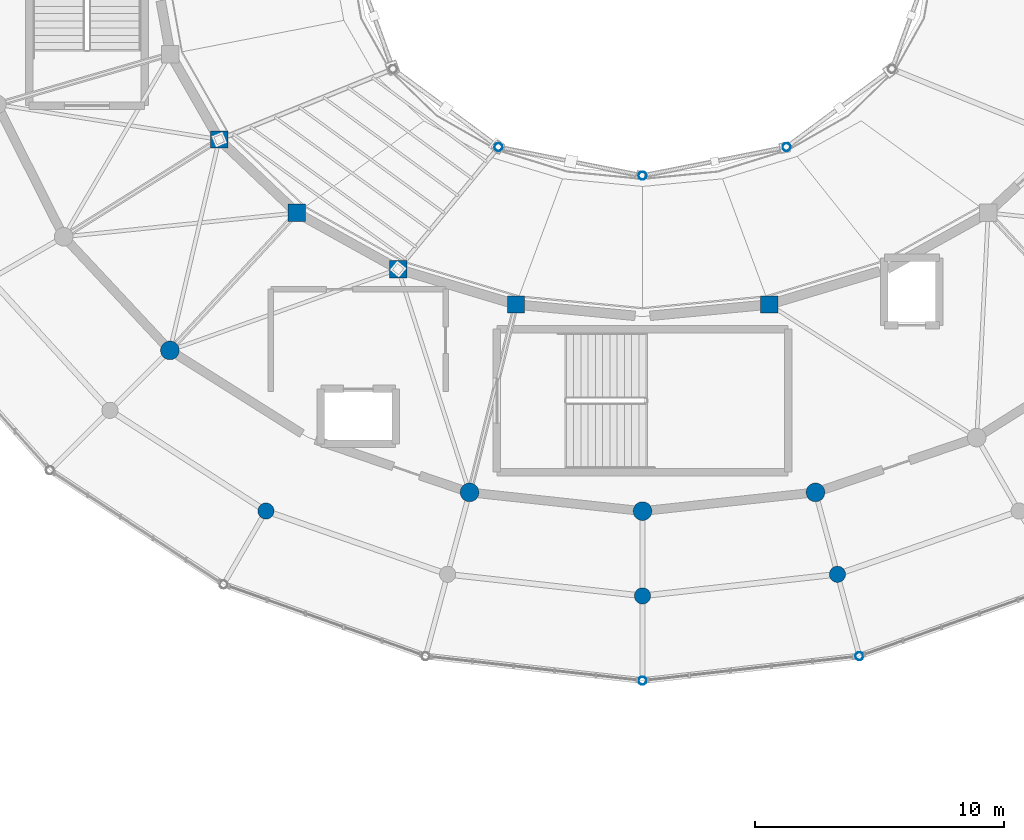
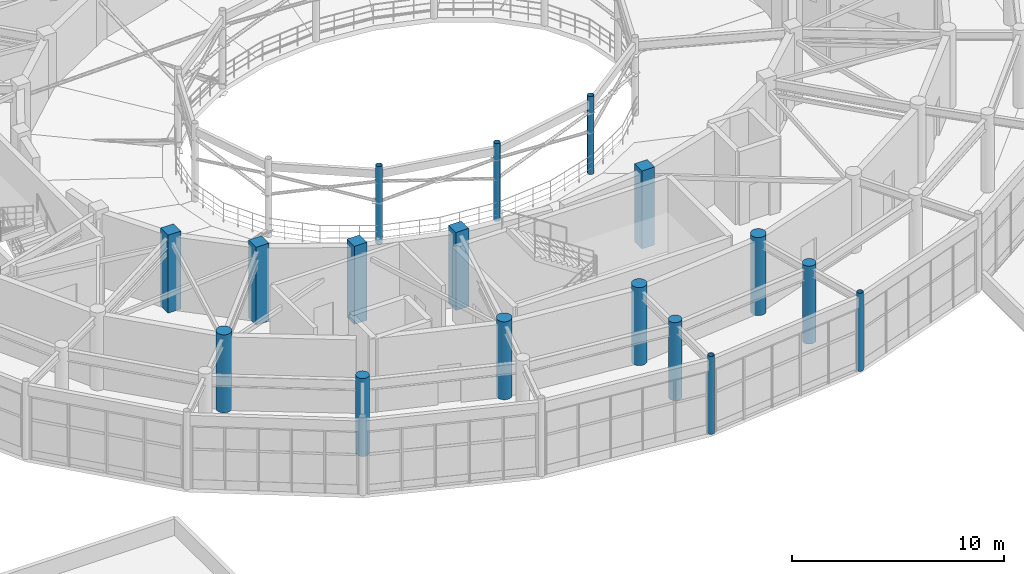
# One storey, part 7 of 112: 17 columns.
"""IFC4 building model written with IfcOpenShell, lengths in metres."""

from ifc_helpers import new_model, si_unit, direction, frame, origin, origin_2d, place, context, subcontext, project, spatial, rectangle, circle, hollow_circle, extrude, material, material_profile, profile_set, type_object, element, save


model = new_model("IFC4")

# Units and contexts
model_context = context("Model", 3, precision=1e-05, world=origin(), true_north=direction((0.0, 1.0)))
body_context = subcontext(model_context, "Body", "Model", "MODEL_VIEW")
ifc_project = project(units=[si_unit("LENGTHUNIT", "METRE"), si_unit("AREAUNIT", "SQUARE_METRE"), si_unit("VOLUMEUNIT", "CUBIC_METRE"), si_unit("PLANEANGLEUNIT", "RADIAN"), si_unit("MASSUNIT", "GRAM", prefix="KILO")], contexts=[model_context])

# Site, building, storey
site_placement = place(None, origin())
site = spatial("IfcSite", under=ifc_project, at=site_placement, CompositionType="ELEMENT")
building_placement = place(site_placement, origin())
building = spatial("IfcBuilding", under=site, at=building_placement, Name="Cinderbank Siding Concert Hall", CompositionType="ELEMENT")
storey_placement = place(building_placement, frame((0.0, 0.0, 10.199951171875)))
storey = spatial("IfcBuildingStorey", under=building, at=storey_placement, Name="L03", CompositionType="ELEMENT", Elevation=10.199951171875)

# Columns
ifc_material_1 = material(Name="Structural steel hollow section AS/NZS 1163 Grade C350L0 (350 MPa)", Category="steel")
ifc_material_profile_1 = material_profile(ifc_material_1, hollow_circle(Radius=0.161865234375, WallThickness=0.0126953125, at=origin_2d()), Name="323.9x12.7CHS", Category="LoadBearing")
ifc_profile_set_1 = profile_set([ifc_material_profile_1], Name="Structural steel hollow section AS/NZS 1163 Grade C350L0 (350 MPa)")
column_type_1 = type_object("IfcColumnType", Name="C-CHS323 323.9x12.7CHS", PredefinedType="COLUMN", material=ifc_profile_set_1)
for number, where, z_axis, x_axis, name in (
    (1, (122.0, 15.199951171875, 0.0), (0.0, 0.0, 1.0), (1.0, 0.0, 0.0), "L03 Column COL-E4-19"),
    (2, (130.696044921875, 16.180908203125, 0.0), (0.0, 0.0, 1.0), (1.0, 0.0, 0.0), "L03 Column COL-E4-20"),
    (3, (116.22509765625, 36.595947265625, 0.0), (0.0, 0.0, 1.0), (1.0, 0.0, 0.0), "L03 Column COL-E0-17"),
    (4, (122.0, 35.449951171875, 0.0), (0.0, 0.0, 1.0), (1.0, 0.0, 0.0), "L03 Column COL-E0-19"),
    (5, (127.77490234375, 36.595947265625, 0.0), (0.0, 0.0, 1.0), (1.0, 0.0, 0.0), "L03 Column COL-E0-21"),
):
    element("IfcColumn", number, at=place(storey_placement, frame(where, z_axis=z_axis, x_axis=x_axis)), inside=storey, type_object=column_type_1, Name=name, PredefinedType="COLUMN", context=body_context, shape_type="SweptSolid", body=[
        extrude(hollow_circle(Radius=0.161865234375, WallThickness=0.0126953125, at=origin_2d()), origin(), (0.0, 0.0, 1.0), 4.5),
    ])
ifc_material_2 = material(Name="Reinforced concrete AS 3600 N50 (50 MPa)", Category="concrete")
ifc_material_profile_2 = material_profile(ifc_material_2, rectangle(XDim=0.699951171875, YDim=0.699951171875, at=origin_2d()), Name="RC-COL-700x700", Category="LoadBearing")
ifc_profile_set_2 = profile_set([ifc_material_profile_2], Name="Reinforced concrete AS 3600 N50 (50 MPa)")
column_type_2 = type_object("IfcColumnType", Name="C-RC700 RC-COL-700x700", PredefinedType="COLUMN", material=ifc_profile_set_2)
for number, where, z_axis, x_axis, name in (
    (6, (105.02587890625, 36.89990234375, 0.0), (0.0, 0.0, 1.0), (1.0, 0.0, 0.0), "L03 Column COL-E1-15"),
    (7, (108.14111328125, 33.958984375, 0.0), (0.0, 0.0, 1.0), (1.0, 0.0, 0.0), "L03 Column COL-E1-16"),
    (8, (112.199951171875, 31.701904296875, 0.0), (0.0, 0.0, 1.0), (1.0, 0.0, 0.0), "L03 Column COL-E1-17"),
    (9, (116.927001953125, 30.283935546875, 0.0), (0.0, 0.0, 1.0), (1.0, 0.0, 0.0), "L03 Column COL-E1-18"),
    (10, (127.072998046875, 30.283935546875, 0.0), (0.0, 0.0, 1.0), (1.0, 0.0, 0.0), "L03 Column COL-E1-20"),
):
    element("IfcColumn", number, at=place(storey_placement, frame(where, z_axis=z_axis, x_axis=x_axis)), inside=storey, type_object=column_type_2, Name=name, PredefinedType="COLUMN", context=body_context, shape_type="SweptSolid", body=[
        extrude(rectangle(XDim=0.699951171875, YDim=0.699951171875, at=origin_2d()), origin(), (0.0, 0.0, 1.0), 4.5),
    ])
ifc_material_profile_3 = material_profile(ifc_material_2, circle(Radius=0.324951171875, at=origin_2d()), Name="RC-COL-650DIA", Category="LoadBearing")
ifc_profile_set_3 = profile_set([ifc_material_profile_3], Name="Reinforced concrete AS 3600 N50 (50 MPa)")
column_type_3 = type_object("IfcColumnType", Name="C-RCD650 RC-COL-650DIA", PredefinedType="COLUMN", material=ifc_profile_set_3)
for number, where, z_axis, x_axis, name in (
    (11, (106.89990234375, 22.0029296875, 0.0), (0.0, 0.0, 1.0), (1.0, 0.0, 0.0), "L03 Column COL-E3-17"),
    (12, (122.0, 18.60009765625, 0.0), (0.0, 0.0, 1.0), (1.0, 0.0, 0.0), "L03 Column COL-E3-19"),
    (13, (129.81591796875, 19.465087890625, 0.0), (0.0, 0.0, 1.0), (1.0, 0.0, 0.0), "L03 Column COL-E3-20"),
):
    element("IfcColumn", number, at=place(storey_placement, frame(where, z_axis=z_axis, x_axis=x_axis)), inside=storey, type_object=column_type_3, Name=name, PredefinedType="COLUMN", context=body_context, shape_type="SweptSolid", body=[
        extrude(circle(Radius=0.324951171875, at=origin_2d()), origin(), (0.0, 0.0, 1.0), 4.5),
    ])
ifc_material_profile_4 = material_profile(ifc_material_2, circle(Radius=0.375, at=origin_2d()), Name="RC-COL-750DIA", Category="LoadBearing")
ifc_profile_set_4 = profile_set([ifc_material_profile_4], Name="Reinforced concrete AS 3600 N50 (50 MPa)")
column_type_4 = type_object("IfcColumnType", Name="C-RCD750 RC-COL-750DIA", PredefinedType="COLUMN", material=ifc_profile_set_4)
for number, where, z_axis, x_axis, name in (
    (14, (103.049072265625, 28.444091796875, 0.0), (0.0, 0.0, 1.0), (1.0, 0.0, 0.0), "L03 Column COL-E2-16"),
    (15, (115.06396484375, 22.75, 0.0), (0.0, 0.0, 1.0), (1.0, 0.0, 0.0), "L03 Column COL-E2-18"),
    (16, (122.0, 22.0, 0.0), (0.0, 0.0, 1.0), (1.0, 0.0, 0.0), "L03 Column COL-E2-19"),
    (17, (128.93603515625, 22.75, 0.0), (0.0, 0.0, 1.0), (1.0, 0.0, 0.0), "L03 Column COL-E2-20"),
):
    element("IfcColumn", number, at=place(storey_placement, frame(where, z_axis=z_axis, x_axis=x_axis)), inside=storey, type_object=column_type_4, Name=name, PredefinedType="COLUMN", context=body_context, shape_type="SweptSolid", body=[
        extrude(circle(Radius=0.375, at=origin_2d()), origin(), (0.0, 0.0, 1.0), 4.5),
    ])

save(model, "model.ifc")
